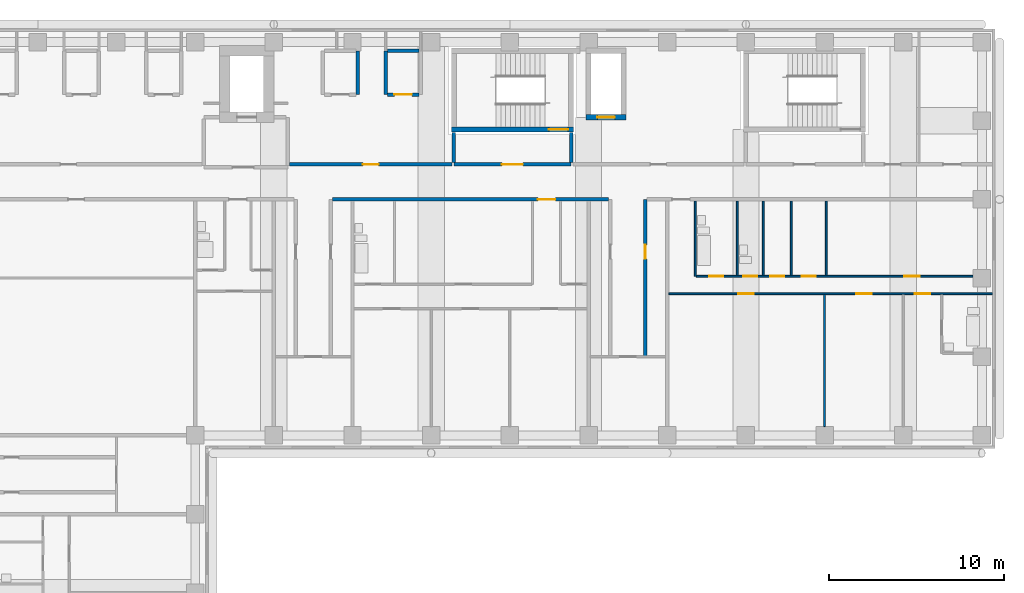
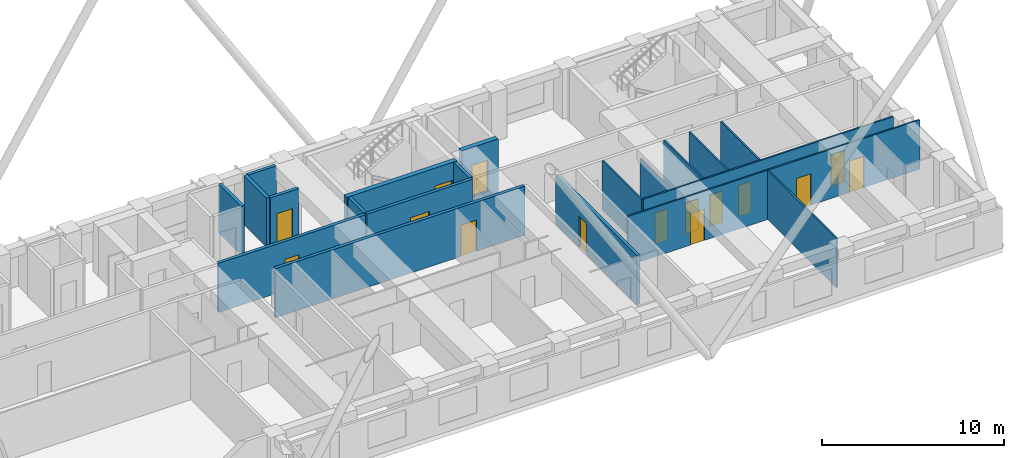
# One storey, part 8 of 13: 20 walls, 15 doors, 15 openings.
"""IFC4 building model written with IfcOpenShell, lengths in metres."""

from ifc_helpers import new_model, si_unit, direction, frame, frame_2d, origin, place, context, subcontext, project, spatial, rectangle, extrude, material, layer, layer_set, type_object, element, fill, save


model = new_model("IFC4")

# Units and contexts
model_context = context("Model", 3, precision=1e-05, world=origin(), true_north=direction((0.0, 1.0)))
body_context = subcontext(model_context, "Body", "Model", "MODEL_VIEW")
ifc_project = project(units=[si_unit("LENGTHUNIT", "METRE"), si_unit("AREAUNIT", "SQUARE_METRE"), si_unit("VOLUMEUNIT", "CUBIC_METRE"), si_unit("PLANEANGLEUNIT", "RADIAN"), si_unit("MASSUNIT", "GRAM", prefix="KILO")], contexts=[model_context])

# Site, building, storey
site_placement = place(None, origin())
site = spatial("IfcSite", under=ifc_project, at=site_placement, CompositionType="ELEMENT")
building_placement = place(site_placement, origin())
building = spatial("IfcBuilding", under=site, at=building_placement, Name="Firuza Court", CompositionType="ELEMENT")
storey_placement = place(building_placement, frame((0.0, 0.0, 141.199951171875)))
storey = spatial("IfcBuildingStorey", under=building, at=storey_placement, Name="L35", CompositionType="ELEMENT", Elevation=141.199951171875)

# Walls
ifc_material_1 = material(Name="Moisture-resistant gypsum board partition")
ifc_layer_1 = layer(ifc_material_1, 0.10009765625)
ifc_layer_set_1 = layer_set([ifc_layer_1], Name="Moisture-resistant gypsum board partition")
wall_type_1 = type_object("IfcWallType", Name="Bathroom partition 100", PredefinedType="PLUMBINGWALL", material=ifc_layer_set_1)
wall_1_placement = place(storey_placement, frame((51.10009765625, 45.10009765625, 0.0), z_axis=(0.0, 0.0, 1.0), x_axis=(0.0, 1.0, 0.0)))
element("IfcWall", 1, at=wall_1_placement, inside=storey, type_object=wall_type_1, Name="Bathroom partition 100 L35", PredefinedType="PLUMBINGWALL", context=body_context, shape_type="SweptSolid", body=[
    extrude(rectangle(XDim=4.2998046875, YDim=0.10009765625, at=frame_2d((2.14990234375, 0.0))), origin(), (0.0, 0.0, 1.0), 3.300048828125),
])
wall_2_placement = place(storey_placement, frame((53.5, 45.14990234375, 0.0), z_axis=(0.0, 0.0, 1.0), x_axis=(0.0, 1.0, 0.0)))
element("IfcWall", 2, at=wall_2_placement, inside=storey, type_object=wall_type_1, Name="Bathroom partition 100 L35", PredefinedType="PLUMBINGWALL", context=body_context, shape_type="SweptSolid", body=[
    extrude(rectangle(XDim=4.25, YDim=0.10009765625, at=frame_2d((2.125, 0.0))), origin(), (0.0, 0.0, 1.0), 2.60009765625),
])
wall_3_placement = place(storey_placement, frame((55.0, 45.14990234375, 0.0), z_axis=(0.0, 0.0, 1.0), x_axis=(0.0, 1.0, 0.0)))
element("IfcWall", 3, at=wall_3_placement, inside=storey, type_object=wall_type_1, Name="Bathroom partition 100 L35", PredefinedType="PLUMBINGWALL", context=body_context, shape_type="SweptSolid", body=[
    extrude(rectangle(XDim=4.25, YDim=0.10009765625, at=frame_2d((2.125, 0.0))), origin(), (0.0, 0.0, 1.0), 3.300048828125),
])

# Wall, opening, door
ifc_material_2 = material(Name="Concrete C60/75", Category="concrete")
ifc_layer_2 = layer(ifc_material_2, 0.300048828125)
ifc_layer_set_2 = layer_set([ifc_layer_2], Name="Concrete C60/75")
wall_type_2 = type_object("IfcWallType", Name="Core wall 300 C60/75", PredefinedType="SHEAR", material=ifc_layer_set_2)
wall_4_placement = place(storey_placement, frame((37.14990234375, 53.5, -0.300048828125), z_axis=(0.0, 0.0, 1.0), x_axis=(1.0, 0.0, 0.0)))
wall_4 = element("IfcWall", 4, at=wall_4_placement, inside=storey, type_object=wall_type_2, Name="Core wall stair L35", PredefinedType="SHEAR", context=body_context, shape_type="SweptSolid", body=[
    extrude(rectangle(XDim=7.0, YDim=0.300048828125, at=frame_2d((3.5, 0.0))), origin(), (0.0, 0.0, 1.0), 3.60009765625),
])
opening_1_placement = place(wall_4_placement, frame((5.580078125, 0.0, 0.300048828125)))
opening_1 = element("IfcOpeningElement", 5, at=opening_1_placement, cuts=wall_4, Name="Opening D35012", PredefinedType="OPENING", context=body_context, shape_type="SweptSolid", body=[
    extrude(rectangle(XDim=1.10009765625, YDim=2.10009765625, at=frame_2d((0.550048828125, 1.050048828125))), frame((0.0, 0.162109375, 0.0), z_axis=(0.0, -1.0, 0.0), x_axis=(1.0, 0.0, 0.0)), (0.0, 0.0, 1.0), 0.323974609375),
])
ifc_material_3 = material(Name="Timber door leaf in hardwood frame", Category="wood")
door_type_1 = type_object("IfcDoorType", Name="Stair door 1100", OperationType="SINGLE_SWING_LEFT", PredefinedType="DOOR", material=ifc_material_3)
door_1_placement = place(opening_1_placement, origin())
door_1 = element("IfcDoor", 6, at=door_1_placement, inside=storey, type_object=door_type_1, Name="Stair door S1", OperationType="SINGLE_SWING_RIGHT", OverallHeight=2.10009765625, OverallWidth=1.10009765625, PredefinedType="DOOR", context=body_context, shape_type="SweptSolid", body=[
    extrude(rectangle(XDim=1.10009765625, YDim=2.10009765625, at=frame_2d((0.550048828125, 1.050048828125))), frame((0.0, 0.02490234375, 0.0), z_axis=(0.0, -1.0, 0.0), x_axis=(1.0, 0.0, 0.0)), (0.0, 0.0, 1.0), 0.050048828125),
])
fill(opening_1, door_1)

wall_5_placement = place(storey_placement, frame((44.85009765625, 54.199951171875, -0.300048828125), z_axis=(0.0, 0.0, 1.0), x_axis=(1.0, 0.0, 0.0)))
wall_5 = element("IfcWall", 7, at=wall_5_placement, inside=storey, type_object=wall_type_2, Name="Core wall riser L35", PredefinedType="SHEAR", context=body_context, shape_type="SweptSolid", body=[
    extrude(rectangle(XDim=2.2998046875, YDim=0.300048828125, at=frame_2d((1.14990234375, 0.0))), origin(), (0.0, 0.0, 1.0), 3.60009765625),
])
opening_2_placement = place(wall_5_placement, frame((0.64990234375, 0.0, 0.300048828125)))
opening_2 = element("IfcOpeningElement", 8, at=opening_2_placement, cuts=wall_5, Name="Opening D35010", PredefinedType="OPENING", context=body_context, shape_type="SweptSolid", body=[
    extrude(rectangle(XDim=1.0, YDim=2.10009765625, at=frame_2d((0.5, 1.050048828125))), frame((0.0, 0.162109375, 0.0), z_axis=(0.0, -1.0, 0.0), x_axis=(1.0, 0.0, 0.0)), (0.0, 0.0, 1.0), 0.323974609375),
])
ifc_material_4 = material(Name="Timber door leaf in hardwood frame", Category="wood")
door_type_2 = type_object("IfcDoorType", Name="Riser door 1000", OperationType="SINGLE_SWING_LEFT", PredefinedType="DOOR", material=ifc_material_4)
door_2_placement = place(opening_2_placement, origin())
door_2 = element("IfcDoor", 9, at=door_2_placement, inside=storey, type_object=door_type_2, Name="Riser door R3", OperationType="SINGLE_SWING_LEFT", OverallHeight=2.10009765625, OverallWidth=1.0, PredefinedType="DOOR", context=body_context, shape_type="SweptSolid", body=[
    extrude(rectangle(XDim=1.0, YDim=2.10009765625, at=frame_2d((0.5, 1.050048828125))), frame((0.0, 0.02490234375, 0.0), z_axis=(0.0, -1.0, 0.0), x_axis=(1.0, 0.0, 0.0)), (0.0, 0.0, 1.0), 0.050048828125),
])
fill(opening_2, door_2)

ifc_material_5 = material(Name="Blockwork, plastered both sides", Category="masonry")
ifc_layer_3 = layer(ifc_material_5, 0.199951171875)
ifc_layer_set_3 = layer_set([ifc_layer_3], Name="Blockwork, plastered both sides")
wall_type_3 = type_object("IfcWallType", Name="Corridor wall 200", PredefinedType="PARTITIONING", material=ifc_layer_set_3)
wall_6_placement = place(storey_placement, frame((48.25, 40.550048828125, 0.0), z_axis=(0.0, 0.0, 1.0), x_axis=(0.0, 1.0, 0.0)))
wall_6 = element("IfcWall", 10, at=wall_6_placement, inside=storey, type_object=wall_type_3, Name="Corridor wall 200 L35", PredefinedType="PARTITIONING", context=body_context, shape_type="SweptSolid", body=[
    extrude(rectangle(XDim=8.949951171875, YDim=0.199951171875, at=frame_2d((4.47509765625, 0.0))), origin(), (0.0, 0.0, 1.0), 3.300048828125),
])
opening_3_placement = place(wall_6_placement, frame((5.550048828125, 0.0, 0.0)))
opening_3 = element("IfcOpeningElement", 11, at=opening_3_placement, cuts=wall_6, Name="Opening D35044", PredefinedType="OPENING", context=body_context, shape_type="SweptSolid", body=[
    extrude(rectangle(XDim=0.800048828125, YDim=2.10009765625, at=frame_2d((0.39990234375, 1.050048828125))), frame((0.0, 0.11181640625, 0.0), z_axis=(0.0, -1.0, 0.0), x_axis=(1.0, 0.0, 0.0)), (0.0, 0.0, 1.0), 0.223876953125),
])
ifc_material_6 = material(Name="Timber door leaf in hardwood frame", Category="wood")
door_type_3 = type_object("IfcDoorType", Name="Room door 800 EI 30", OperationType="SINGLE_SWING_LEFT", PredefinedType="DOOR", material=ifc_material_6)
door_3_placement = place(opening_3_placement, frame((0.800048828125, 0.0, 0.0), z_axis=(0.0, 0.0, 1.0), x_axis=(-1.0, 0.0, 0.0)))
door_3 = element("IfcDoor", 12, at=door_3_placement, inside=storey, type_object=door_type_3, Name="Store door", OperationType="SINGLE_SWING_LEFT", OverallHeight=2.10009765625, OverallWidth=0.800048828125, PredefinedType="DOOR", context=body_context, shape_type="SweptSolid", body=[
    extrude(rectangle(XDim=0.800048828125, YDim=2.10009765625, at=frame_2d((0.39990234375, 1.050048828125))), frame((0.0, 0.02490234375, 0.0), z_axis=(0.0, -1.0, 0.0), x_axis=(1.0, 0.0, 0.0)), (0.0, 0.0, 1.0), 0.050048828125),
])
fill(opening_3, door_3)

wall_7_placement = place(storey_placement, frame((30.35009765625, 49.5, 0.0), z_axis=(0.0, 0.0, 1.0), x_axis=(1.0, 0.0, 0.0)))
wall_7 = element("IfcWall", 13, at=wall_7_placement, inside=storey, type_object=wall_type_3, Name="Corridor wall 200 L35", PredefinedType="PARTITIONING", context=body_context, shape_type="SweptSolid", body=[
    extrude(rectangle(XDim=15.7998046875, YDim=0.199951171875, at=frame_2d((7.89990234375, 0.0))), origin(), (0.0, 0.0, 1.0), 3.300048828125),
])
opening_4_placement = place(wall_7_placement, frame((11.75, 0.0, 0.0)))
opening_4 = element("IfcOpeningElement", 14, at=opening_4_placement, cuts=wall_7, Name="Opening D35065", PredefinedType="OPENING", context=body_context, shape_type="SweptSolid", body=[
    extrude(rectangle(XDim=1.0, YDim=2.10009765625, at=frame_2d((0.5, 1.050048828125))), frame((0.0, 0.11181640625, 0.0), z_axis=(0.0, -1.0, 0.0), x_axis=(1.0, 0.0, 0.0)), (0.0, 0.0, 1.0), 0.223876953125),
])
ifc_material_7 = material(Name="Timber door leaf in hardwood frame", Category="wood")
door_type_4 = type_object("IfcDoorType", Name="Flat entrance door 1000", OperationType="SINGLE_SWING_LEFT", PredefinedType="DOOR", material=ifc_material_7)
door_4_placement = place(opening_4_placement, origin())
door_4 = element("IfcDoor", 15, at=door_4_placement, inside=storey, type_object=door_type_4, Name="Flat entrance door", OperationType="SINGLE_SWING_LEFT", OverallHeight=2.10009765625, OverallWidth=1.0, PredefinedType="DOOR", context=body_context, shape_type="SweptSolid", body=[
    extrude(rectangle(XDim=1.0, YDim=2.10009765625, at=frame_2d((0.5, 1.050048828125))), frame((0.0, 0.02490234375, 0.0), z_axis=(0.0, -1.0, 0.0), x_axis=(1.0, 0.0, 0.0)), (0.0, 0.0, 1.0), 0.050048828125),
])
fill(opening_4, door_4)

wall_8_placement = place(storey_placement, frame((27.89990234375, 51.5, 0.0), z_axis=(0.0, 0.0, 1.0), x_axis=(1.0, 0.0, 0.0)))
wall_8 = element("IfcWall", 16, at=wall_8_placement, inside=storey, type_object=wall_type_3, Name="Corridor wall 200 L35", PredefinedType="PARTITIONING", context=body_context, shape_type="SweptSolid", body=[
    extrude(rectangle(XDim=9.300048828125, YDim=0.199951171875, at=frame_2d((4.64990234375, 0.0))), origin(), (0.0, 0.0, 1.0), 3.300048828125),
])
opening_5_placement = place(wall_8_placement, frame((4.199951171875, 0.0, 0.0)))
opening_5 = element("IfcOpeningElement", 17, at=opening_5_placement, cuts=wall_8, Name="Opening D35068", PredefinedType="OPENING", context=body_context, shape_type="SweptSolid", body=[
    extrude(rectangle(XDim=0.89990234375, YDim=2.10009765625, at=frame_2d((0.449951171875, 1.050048828125))), frame((0.0, 0.11181640625, 0.0), z_axis=(0.0, -1.0, 0.0), x_axis=(1.0, 0.0, 0.0)), (0.0, 0.0, 1.0), 0.223876953125),
])
ifc_material_8 = material(Name="Timber door leaf in hardwood frame", Category="wood")
door_type_5 = type_object("IfcDoorType", Name="Room door 900 EI 30", OperationType="SINGLE_SWING_LEFT", PredefinedType="DOOR", material=ifc_material_8)
door_5_placement = place(opening_5_placement, origin())
door_5 = element("IfcDoor", 18, at=door_5_placement, inside=storey, type_object=door_type_5, Name="Meeting room door", OperationType="SINGLE_SWING_LEFT", OverallHeight=2.10009765625, OverallWidth=0.89990234375, PredefinedType="DOOR", context=body_context, shape_type="SweptSolid", body=[
    extrude(rectangle(XDim=0.89990234375, YDim=2.10009765625, at=frame_2d((0.449951171875, 1.050048828125))), frame((0.0, 0.02490234375, 0.0), z_axis=(0.0, -1.0, 0.0), x_axis=(1.0, 0.0, 0.0)), (0.0, 0.0, 1.0), 0.050048828125),
])
fill(opening_5, door_5)

# Wall
ifc_material_9 = material(Name="Timber stud partition, plasterboard both sides", Category="wood")
ifc_layer_4 = layer(ifc_material_9, 0.10009765625)
ifc_layer_set_4 = layer_set([ifc_layer_4], Name="Timber stud partition, plasterboard both sides")
wall_type_4 = type_object("IfcWallType", Name="Partition wall 100", PredefinedType="PARTITIONING", material=ifc_layer_set_4)
wall_9_placement = place(storey_placement, frame((58.5, 36.5, 0.0), z_axis=(0.0, 0.0, 1.0), x_axis=(0.0, 1.0, 0.0)))
element("IfcWall", 19, at=wall_9_placement, inside=storey, type_object=wall_type_4, Name="Partition wall 100 L35", PredefinedType="PARTITIONING", context=body_context, shape_type="SweptSolid", body=[
    extrude(rectangle(XDim=7.550048828125, YDim=0.10009765625, at=frame_2d((3.77490234375, 0.0))), origin(), (0.0, 0.0, 1.0), 3.300048828125),
])

# Wall, openings, doors
wall_10_placement = place(storey_placement, frame((49.60009765625, 44.10009765625, 0.0), z_axis=(0.0, 0.0, 1.0), x_axis=(1.0, 0.0, 0.0)))
wall_10 = element("IfcWall", 20, at=wall_10_placement, inside=storey, type_object=wall_type_4, Name="Partition wall 100 L35", PredefinedType="PARTITIONING", context=body_context, shape_type="SweptSolid", body=[
    extrude(rectangle(XDim=18.5, YDim=0.10009765625, at=frame_2d((9.25, 0.0))), origin(), (0.0, 0.0, 1.0), 3.300048828125),
])
opening_6_placement = place(wall_10_placement, frame((3.949951171875, 0.0, 0.0)))
opening_6 = element("IfcOpeningElement", 21, at=opening_6_placement, cuts=wall_10, Name="Opening D35049", PredefinedType="OPENING", context=body_context, shape_type="SweptSolid", body=[
    extrude(rectangle(XDim=0.89990234375, YDim=2.10009765625, at=frame_2d((0.449951171875, 1.050048828125))), frame((0.0, 0.06201171875, 0.0), z_axis=(0.0, -1.0, 0.0), x_axis=(1.0, 0.0, 0.0)), (0.0, 0.0, 1.0), 0.1240234375),
])
opening_7_placement = place(wall_10_placement, frame((10.699951171875, 0.0, 0.0)))
opening_7 = element("IfcOpeningElement", 22, at=opening_7_placement, cuts=wall_10, Name="Opening D35050", PredefinedType="OPENING", context=body_context, shape_type="SweptSolid", body=[
    extrude(rectangle(XDim=0.89990234375, YDim=2.10009765625, at=frame_2d((0.449951171875, 1.050048828125))), frame((0.0, 0.06201171875, 0.0), z_axis=(0.0, -1.0, 0.0), x_axis=(1.0, 0.0, 0.0)), (0.0, 0.0, 1.0), 0.1240234375),
])
opening_8_placement = place(wall_10_placement, frame((14.050048828125, 0.0, 0.0)))
opening_8 = element("IfcOpeningElement", 23, at=opening_8_placement, cuts=wall_10, Name="Opening D35051", PredefinedType="OPENING", context=body_context, shape_type="SweptSolid", body=[
    extrude(rectangle(XDim=0.89990234375, YDim=2.10009765625, at=frame_2d((0.449951171875, 1.050048828125))), frame((0.0, 0.06201171875, 0.0), z_axis=(0.0, -1.0, 0.0), x_axis=(1.0, 0.0, 0.0)), (0.0, 0.0, 1.0), 0.1240234375),
])
ifc_material_10 = material(Name="Timber door leaf in hardwood frame", Category="wood")
door_type_6 = type_object("IfcDoorType", Name="Room door 900", OperationType="SINGLE_SWING_LEFT", PredefinedType="DOOR", material=ifc_material_10)
door_6_placement = place(opening_6_placement, frame((0.89990234375, 0.0, 0.0), z_axis=(0.0, 0.0, 1.0), x_axis=(-1.0, 0.0, 0.0)))
door_6 = element("IfcDoor", 24, at=door_6_placement, inside=storey, type_object=door_type_6, Name="Living room door", OperationType="SINGLE_SWING_RIGHT", OverallHeight=2.10009765625, OverallWidth=0.89990234375, PredefinedType="DOOR", context=body_context, shape_type="SweptSolid", body=[
    extrude(rectangle(XDim=0.89990234375, YDim=2.10009765625, at=frame_2d((0.449951171875, 1.050048828125))), frame((0.0, 0.02490234375, 0.0), z_axis=(0.0, -1.0, 0.0), x_axis=(1.0, 0.0, 0.0)), (0.0, 0.0, 1.0), 0.050048828125),
])
fill(opening_6, door_6)
door_7_placement = place(opening_7_placement, frame((0.89990234375, 0.0, 0.0), z_axis=(0.0, 0.0, 1.0), x_axis=(-1.0, 0.0, 0.0)))
door_7 = element("IfcDoor", 25, at=door_7_placement, inside=storey, type_object=door_type_6, Name="Bedroom door", OperationType="SINGLE_SWING_RIGHT", OverallHeight=2.10009765625, OverallWidth=0.89990234375, PredefinedType="DOOR", context=body_context, shape_type="SweptSolid", body=[
    extrude(rectangle(XDim=0.89990234375, YDim=2.10009765625, at=frame_2d((0.449951171875, 1.050048828125))), frame((0.0, 0.02490234375, 0.0), z_axis=(0.0, -1.0, 0.0), x_axis=(1.0, 0.0, 0.0)), (0.0, 0.0, 1.0), 0.050048828125),
])
fill(opening_7, door_7)
door_8_placement = place(opening_8_placement, origin())
door_8 = element("IfcDoor", 26, at=door_8_placement, inside=storey, type_object=door_type_6, Name="Bedroom door", OperationType="SINGLE_SWING_RIGHT", OverallHeight=2.10009765625, OverallWidth=0.89990234375, PredefinedType="DOOR", context=body_context, shape_type="SweptSolid", body=[
    extrude(rectangle(XDim=0.89990234375, YDim=2.10009765625, at=frame_2d((0.449951171875, 1.050048828125))), frame((0.0, 0.02490234375, 0.0), z_axis=(0.0, -1.0, 0.0), x_axis=(1.0, 0.0, 0.0)), (0.0, 0.0, 1.0), 0.050048828125),
])
fill(opening_8, door_8)

wall_11_placement = place(storey_placement, frame((51.14990234375, 45.10009765625, 0.0), z_axis=(0.0, 0.0, 1.0), x_axis=(1.0, 0.0, 0.0)))
wall_11 = element("IfcWall", 27, at=wall_11_placement, inside=storey, type_object=wall_type_4, Name="Partition wall 100 L35", PredefinedType="PARTITIONING", context=body_context, shape_type="SweptSolid", body=[
    extrude(rectangle(XDim=15.85009765625, YDim=0.10009765625, at=frame_2d((7.925048828125, 0.0))), origin(), (0.0, 0.0, 1.0), 3.300048828125),
])
opening_9_placement = place(wall_11_placement, frame((0.75, 0.0, 0.0)))
opening_9 = element("IfcOpeningElement", 28, at=opening_9_placement, cuts=wall_11, Name="Opening D35056", PredefinedType="OPENING", context=body_context, shape_type="SweptSolid", body=[
    extrude(rectangle(XDim=0.800048828125, YDim=2.10009765625, at=frame_2d((0.39990234375, 1.050048828125))), frame((0.0, 0.06201171875, 0.0), z_axis=(0.0, -1.0, 0.0), x_axis=(1.0, 0.0, 0.0)), (0.0, 0.0, 1.0), 0.1240234375),
])
opening_10_placement = place(wall_11_placement, frame((11.89990234375, 0.0, 0.0)))
opening_10 = element("IfcOpeningElement", 29, at=opening_10_placement, cuts=wall_11, Name="Opening D35057", PredefinedType="OPENING", context=body_context, shape_type="SweptSolid", body=[
    extrude(rectangle(XDim=0.89990234375, YDim=2.10009765625, at=frame_2d((0.449951171875, 1.050048828125))), frame((0.0, 0.06201171875, 0.0), z_axis=(0.0, -1.0, 0.0), x_axis=(1.0, 0.0, 0.0)), (0.0, 0.0, 1.0), 0.1240234375),
])
opening_11_placement = place(wall_11_placement, frame((4.25, 0.0, 0.0)))
opening_11 = element("IfcOpeningElement", 30, at=opening_11_placement, cuts=wall_11, Name="Opening D35058", PredefinedType="OPENING", context=body_context, shape_type="SweptSolid", body=[
    extrude(rectangle(XDim=0.800048828125, YDim=2.10009765625, at=frame_2d((0.39990234375, 1.050048828125))), frame((0.0, 0.06201171875, 0.0), z_axis=(0.0, -1.0, 0.0), x_axis=(1.0, 0.0, 0.0)), (0.0, 0.0, 1.0), 0.1240234375),
])
opening_12_placement = place(wall_11_placement, frame((6.050048828125, 0.0, 0.0)))
opening_12 = element("IfcOpeningElement", 31, at=opening_12_placement, cuts=wall_11, Name="Opening D35059", PredefinedType="OPENING", context=body_context, shape_type="SweptSolid", body=[
    extrude(rectangle(XDim=0.800048828125, YDim=2.10009765625, at=frame_2d((0.39990234375, 1.050048828125))), frame((0.0, 0.06201171875, 0.0), z_axis=(0.0, -1.0, 0.0), x_axis=(1.0, 0.0, 0.0)), (0.0, 0.0, 1.0), 0.1240234375),
])
opening_13_placement = place(wall_11_placement, frame((2.699951171875, 0.0, 0.0)))
opening_13 = element("IfcOpeningElement", 32, at=opening_13_placement, cuts=wall_11, Name="Opening D35060", PredefinedType="OPENING", context=body_context, shape_type="SweptSolid", body=[
    extrude(rectangle(XDim=0.800048828125, YDim=2.10009765625, at=frame_2d((0.39990234375, 1.050048828125))), frame((0.0, 0.06201171875, 0.0), z_axis=(0.0, -1.0, 0.0), x_axis=(1.0, 0.0, 0.0)), (0.0, 0.0, 1.0), 0.1240234375),
])
ifc_material_11 = material(Name="Timber door leaf in hardwood frame", Category="wood")
door_type_7 = type_object("IfcDoorType", Name="Bathroom door 800", OperationType="SINGLE_SWING_LEFT", PredefinedType="DOOR", material=ifc_material_11)
door_9_placement = place(opening_9_placement, origin())
door_9 = element("IfcDoor", 33, at=door_9_placement, inside=storey, type_object=door_type_7, Name="Bathroom door", OperationType="SINGLE_SWING_LEFT", OverallHeight=2.10009765625, OverallWidth=0.800048828125, PredefinedType="DOOR", context=body_context, shape_type="SweptSolid", body=[
    extrude(rectangle(XDim=0.800048828125, YDim=2.10009765625, at=frame_2d((0.39990234375, 1.050048828125))), frame((0.0, 0.02490234375, 0.0), z_axis=(0.0, -1.0, 0.0), x_axis=(1.0, 0.0, 0.0)), (0.0, 0.0, 1.0), 0.050048828125),
])
fill(opening_9, door_9)
door_10_placement = place(opening_13_placement, origin())
door_10 = element("IfcDoor", 34, at=door_10_placement, inside=storey, type_object=door_type_7, Name="Powder room door", OperationType="SINGLE_SWING_LEFT", OverallHeight=2.10009765625, OverallWidth=0.800048828125, PredefinedType="DOOR", context=body_context, shape_type="SweptSolid", body=[
    extrude(rectangle(XDim=0.800048828125, YDim=2.10009765625, at=frame_2d((0.39990234375, 1.050048828125))), frame((0.0, 0.02490234375, 0.0), z_axis=(0.0, -1.0, 0.0), x_axis=(1.0, 0.0, 0.0)), (0.0, 0.0, 1.0), 0.050048828125),
])
fill(opening_13, door_10)
ifc_material_12 = material(Name="Timber door leaf in hardwood frame", Category="wood")
door_type_8 = type_object("IfcDoorType", Name="Room door 800", OperationType="SINGLE_SWING_LEFT", PredefinedType="DOOR", material=ifc_material_12)
door_11_placement = place(opening_11_placement, origin())
door_11 = element("IfcDoor", 35, at=door_11_placement, inside=storey, type_object=door_type_8, Name="Store door", OperationType="SINGLE_SWING_LEFT", OverallHeight=2.10009765625, OverallWidth=0.800048828125, PredefinedType="DOOR", context=body_context, shape_type="SweptSolid", body=[
    extrude(rectangle(XDim=0.800048828125, YDim=2.10009765625, at=frame_2d((0.39990234375, 1.050048828125))), frame((0.0, 0.02490234375, 0.0), z_axis=(0.0, -1.0, 0.0), x_axis=(1.0, 0.0, 0.0)), (0.0, 0.0, 1.0), 0.050048828125),
])
fill(opening_11, door_11)
door_12_placement = place(opening_12_placement, origin())
door_12 = element("IfcDoor", 36, at=door_12_placement, inside=storey, type_object=door_type_8, Name="Utility room door", OperationType="SINGLE_SWING_LEFT", OverallHeight=2.10009765625, OverallWidth=0.800048828125, PredefinedType="DOOR", context=body_context, shape_type="SweptSolid", body=[
    extrude(rectangle(XDim=0.800048828125, YDim=2.10009765625, at=frame_2d((0.39990234375, 1.050048828125))), frame((0.0, 0.02490234375, 0.0), z_axis=(0.0, -1.0, 0.0), x_axis=(1.0, 0.0, 0.0)), (0.0, 0.0, 1.0), 0.050048828125),
])
fill(opening_12, door_12)
door_13_placement = place(opening_10_placement, origin())
door_13 = element("IfcDoor", 37, at=door_13_placement, inside=storey, type_object=door_type_6, Name="Kitchen door", OperationType="SINGLE_SWING_RIGHT", OverallHeight=2.10009765625, OverallWidth=0.89990234375, PredefinedType="DOOR", context=body_context, shape_type="SweptSolid", body=[
    extrude(rectangle(XDim=0.89990234375, YDim=2.10009765625, at=frame_2d((0.449951171875, 1.050048828125))), frame((0.0, 0.02490234375, 0.0), z_axis=(0.0, -1.0, 0.0), x_axis=(1.0, 0.0, 0.0)), (0.0, 0.0, 1.0), 0.050048828125),
])
fill(opening_10, door_13)

# Walls
for number, where, z_axis, x_axis, name in (
    (38, (56.60009765625, 45.14990234375, 0.0), (0.0, 0.0, 1.0), (0.0, 1.0, 0.0), "Partition wall 100 L35"),
    (39, (58.60009765625, 45.14990234375, 0.0), (0.0, 0.0, 1.0), (0.0, 1.0, 0.0), "Partition wall 100 L35"),
):
    element("IfcWall", number, at=place(storey_placement, frame(where, z_axis=z_axis, x_axis=x_axis)), inside=storey, type_object=wall_type_4, Name=name, PredefinedType="PARTITIONING", context=body_context, shape_type="SweptSolid", body=[
        extrude(rectangle(XDim=4.25, YDim=0.10009765625, at=frame_2d((2.125, 0.0))), origin(), (0.0, 0.0, 1.0), 3.300048828125),
    ])
ifc_material_13 = material(Name="Blockwork, fire-rated", Category="masonry")
ifc_layer_5 = layer(ifc_material_13, 0.199951171875)
ifc_layer_set_5 = layer_set([ifc_layer_5], Name="Blockwork, fire-rated")
wall_type_5 = type_object("IfcWallType", Name="Plant room wall 200", PredefinedType="PARTITIONING", material=ifc_layer_set_5)
for number, where, z_axis, x_axis, name in (
    (40, (31.800048828125, 55.5, 0.0), (0.0, 0.0, 1.0), (0.0, 1.0, 0.0), "Plant room wall 200 L35"),
    (41, (33.39990234375, 55.5, 0.0), (0.0, 0.0, 1.0), (0.0, 1.0, 0.0), "Plant room wall 200 L35"),
):
    element("IfcWall", number, at=place(storey_placement, frame(where, z_axis=z_axis, x_axis=x_axis)), inside=storey, type_object=wall_type_5, Name=name, PredefinedType="PARTITIONING", context=body_context, shape_type="SweptSolid", body=[
        extrude(rectangle(XDim=2.5, YDim=0.199951171875, at=frame_2d((1.25, 0.0))), origin(), (0.0, 0.0, 1.0), 3.300048828125),
    ])

# Wall, opening, door
wall_12_placement = place(storey_placement, frame((33.5, 55.5, 0.0), z_axis=(0.0, 0.0, 1.0), x_axis=(1.0, 0.0, 0.0)))
wall_12 = element("IfcWall", 42, at=wall_12_placement, inside=storey, type_object=wall_type_5, Name="Plant room wall 200 L35", PredefinedType="PARTITIONING", context=body_context, shape_type="SweptSolid", body=[
    extrude(rectangle(XDim=1.800048828125, YDim=0.199951171875, at=frame_2d((0.89990234375, 0.0))), origin(), (0.0, 0.0, 1.0), 3.300048828125),
])
opening_14_placement = place(wall_12_placement, frame((0.39990234375, 0.0, 0.0)))
opening_14 = element("IfcOpeningElement", 43, at=opening_14_placement, cuts=wall_12, Name="Opening D35076", PredefinedType="OPENING", context=body_context, shape_type="SweptSolid", body=[
    extrude(rectangle(XDim=1.0, YDim=2.10009765625, at=frame_2d((0.5, 1.050048828125))), frame((0.0, 0.11181640625, 0.0), z_axis=(0.0, -1.0, 0.0), x_axis=(1.0, 0.0, 0.0)), (0.0, 0.0, 1.0), 0.223876953125),
])
door_14_placement = place(opening_14_placement, origin())
door_14 = element("IfcDoor", 44, at=door_14_placement, inside=storey, type_object=door_type_2, Name="Duct riser door", OperationType="SINGLE_SWING_LEFT", OverallHeight=2.10009765625, OverallWidth=1.0, PredefinedType="DOOR", context=body_context, shape_type="SweptSolid", body=[
    extrude(rectangle(XDim=1.0, YDim=2.10009765625, at=frame_2d((0.5, 1.050048828125))), frame((0.0, 0.02490234375, 0.0), z_axis=(0.0, -1.0, 0.0), x_axis=(1.0, 0.0, 0.0)), (0.0, 0.0, 1.0), 0.050048828125),
])
fill(opening_14, door_14)

# Wall
wall_13_placement = place(storey_placement, frame((33.5, 58.0, 0.0), z_axis=(0.0, 0.0, 1.0), x_axis=(1.0, 0.0, 0.0)))
element("IfcWall", 45, at=wall_13_placement, inside=storey, type_object=wall_type_5, Name="Plant room wall 200 L35", PredefinedType="PARTITIONING", context=body_context, shape_type="SweptSolid", body=[
    extrude(rectangle(XDim=1.800048828125, YDim=0.199951171875, at=frame_2d((0.89990234375, 0.0))), origin(), (0.0, 0.0, 1.0), 3.300048828125),
])

# Wall, opening, door
ifc_layer_6 = layer(ifc_material_13, 0.199951171875)
ifc_layer_set_6 = layer_set([ifc_layer_6], Name="Blockwork, fire-rated")
wall_type_6 = type_object("IfcWallType", Name="Shaft wall 200", PredefinedType="PARTITIONING", material=ifc_layer_set_6)
wall_14_placement = place(storey_placement, frame((37.300048828125, 51.5, 0.0), z_axis=(0.0, 0.0, 1.0), x_axis=(1.0, 0.0, 0.0)))
wall_14 = element("IfcWall", 46, at=wall_14_placement, inside=storey, type_object=wall_type_6, Name="Shaft wall 200 L35", PredefinedType="PARTITIONING", context=body_context, shape_type="SweptSolid", body=[
    extrude(rectangle(XDim=6.699951171875, YDim=0.199951171875, at=frame_2d((3.35009765625, 0.0))), origin(), (0.0, 0.0, 1.0), 3.300048828125),
])
opening_15_placement = place(wall_14_placement, frame((2.75, 0.0, 0.0)))
opening_15 = element("IfcOpeningElement", 47, at=opening_15_placement, cuts=wall_14, Name="Opening D35006", PredefinedType="OPENING", context=body_context, shape_type="SweptSolid", body=[
    extrude(rectangle(XDim=1.199951171875, YDim=2.10009765625, at=frame_2d((0.60009765625, 1.050048828125))), frame((0.0, 0.11181640625, 0.0), z_axis=(0.0, -1.0, 0.0), x_axis=(1.0, 0.0, 0.0)), (0.0, 0.0, 1.0), 0.223876953125),
])
ifc_material_14 = material(Name="Timber door leaf in hardwood frame", Category="wood")
door_type_9 = type_object("IfcDoorType", Name="Lobby door 1200", OperationType="SINGLE_SWING_LEFT", PredefinedType="DOOR", material=ifc_material_14)
door_15_placement = place(opening_15_placement, origin())
door_15 = element("IfcDoor", 48, at=door_15_placement, inside=storey, type_object=door_type_9, Name="Lobby door", OperationType="SINGLE_SWING_LEFT", OverallHeight=2.10009765625, OverallWidth=1.199951171875, PredefinedType="DOOR", context=body_context, shape_type="SweptSolid", body=[
    extrude(rectangle(XDim=1.199951171875, YDim=2.10009765625, at=frame_2d((0.60009765625, 1.050048828125))), frame((0.0, 0.02490234375, 0.0), z_axis=(0.0, -1.0, 0.0), x_axis=(1.0, 0.0, 0.0)), (0.0, 0.0, 1.0), 0.050048828125),
])
fill(opening_15, door_15)

# Walls
for number, where, z_axis, x_axis, name in (
    (49, (44.0, 51.60009765625, 0.0), (0.0, 0.0, 1.0), (0.0, 1.0, 0.0), "Shaft wall 200 L35"),
    (50, (37.300048828125, 51.60009765625, 0.0), (0.0, 0.0, 1.0), (0.0, 1.0, 0.0), "Shaft wall 200 L35"),
):
    element("IfcWall", number, at=place(storey_placement, frame(where, z_axis=z_axis, x_axis=x_axis)), inside=storey, type_object=wall_type_6, Name=name, PredefinedType="PARTITIONING", context=body_context, shape_type="SweptSolid", body=[
        extrude(rectangle(XDim=1.72998046875, YDim=0.199951171875, at=frame_2d((0.864990234375, 0.0))), origin(), (0.0, 0.0, 1.0), 3.300048828125),
    ])

save(model, "model.ifc")
